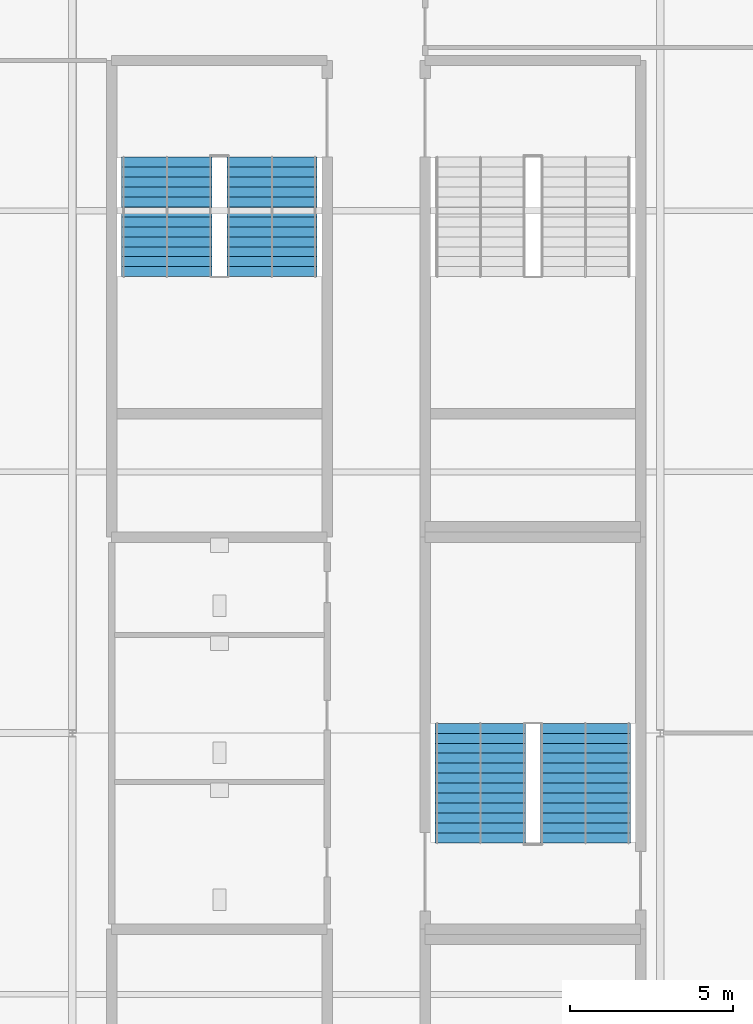
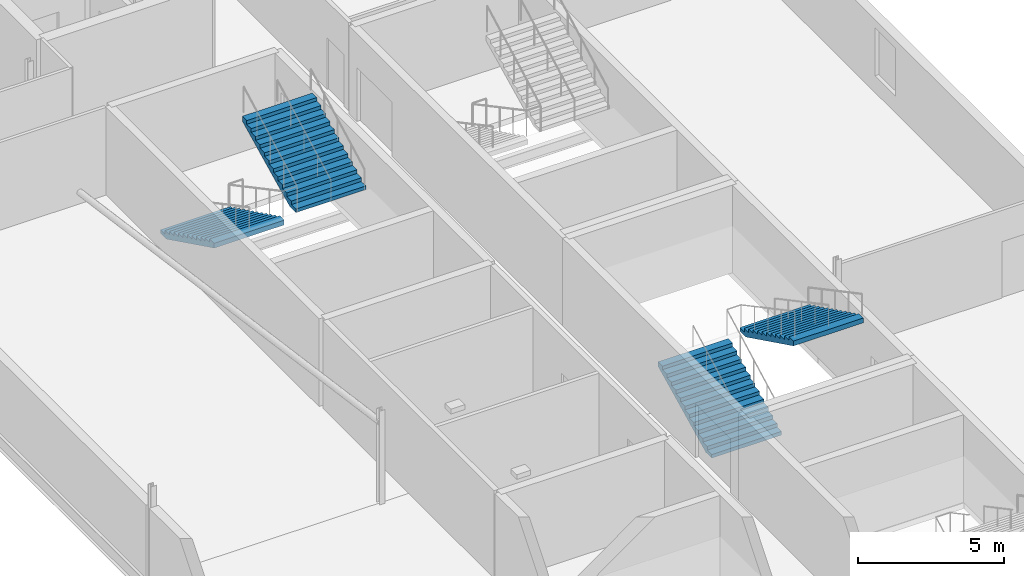
# One storey, part 27 of 35: 4 stair flights, 2 elements without a shape of their own.
"""IFC4 building model written with IfcOpenShell, lengths in metres."""

from ifc_helpers import new_model, si_unit, direction, frame, origin, place, context, subcontext, project, spatial, polygons, material, type_object, element, aggregate, save


model = new_model("IFC4")

# Units and contexts
model_context = context("Model", 3, precision=1e-05, world=origin(), true_north=direction((0.0, 1.0)))
body_context = subcontext(model_context, "Body", "Model", "MODEL_VIEW")
ifc_project = project(units=[si_unit("LENGTHUNIT", "METRE"), si_unit("AREAUNIT", "SQUARE_METRE"), si_unit("VOLUMEUNIT", "CUBIC_METRE"), si_unit("PLANEANGLEUNIT", "RADIAN"), si_unit("MASSUNIT", "GRAM", prefix="KILO")], contexts=[model_context])

# Site, building, storey
site_placement = place(None, origin())
site = spatial("IfcSite", under=ifc_project, at=site_placement, CompositionType="ELEMENT")
building_placement = place(site_placement, origin())
building = spatial("IfcBuilding", under=site, at=building_placement, Name="Kisiwana Market Hall", CompositionType="ELEMENT")
storey_placement = place(building_placement, frame((0.0, 0.0, 61.800048828125)))
storey = spatial("IfcBuildingStorey", under=building, at=storey_placement, Name="L14", CompositionType="ELEMENT", Elevation=61.800048828125)

# Stair, stair flights
ifc_material_1 = material(Name="Concrete C32/40", Category="concrete")
stair_type = type_object("IfcStairType", Name="ST-ESC-3900", PredefinedType="TWO_STRAIGHT_RUN_STAIR", material=ifc_material_1)
stair_1_placement = place(storey_placement, origin())
stair_1 = element("IfcStair", 1, at=stair_1_placement, inside=storey, type_object=stair_type, Name="Escape stair ST-W4-L14", PredefinedType="TWO_STRAIGHT_RUN_STAIR")
ifc_material_2 = material(Name="Concrete C32/40", Category="concrete")
stair_flight_type = type_object("IfcStairFlightType", Name="SF-ESC-3900", PredefinedType="STRAIGHT", material=ifc_material_2)
stair_flight_1_placement = place(storey_placement, frame((11.889892578125, 77.639892578125, 0.0), z_axis=(0.0, 0.0, 1.0), x_axis=(0.0, -1.0, 0.0)))
stair_flight_1 = element("IfcStairFlight", 2, at=stair_flight_1_placement, type_object=stair_flight_type, Name="ST-W4-L14 flight 1", NumberOfRisers=13, NumberOfTreads=12, PredefinedType="STRAIGHT", RiserHeight=0.15, TreadLength=0.305, context=body_context, shape_type="Tessellation", body=[
    polygons([(0.0, -1.380127, 0.0), (0.0, -0.690125, 0.0), (0.0, -0.000122, 0.0), (0.0, 0.68988, 0.0), (0.0, 1.379883, 0.0), (0.0, -1.380127, 0.149902), (0.0, -0.690125, 0.149902), (0.0, -0.000122, 0.149902), (0.0, 0.68988, 0.149902), (0.0, 1.379883, 0.149902), (0.304932, -1.380127, 0.149902), (0.304932, -0.690125, 0.149902), (0.304932, -0.000122, 0.149902), (0.304932, 0.68988, 0.149902), (0.304932, 1.379883, 0.149902), (0.304932, -1.380127, 0.300049), (0.304932, -0.690125, 0.300049), (0.304932, -0.000122, 0.300049), (0.304932, 0.68988, 0.300049), (0.304932, 1.379883, 0.300049), (0.610107, -1.380127, 0.300049), (0.610107, -0.690125, 0.300049), (0.610107, -0.000122, 0.300049), (0.610107, 0.68988, 0.300049), (0.610107, 1.379883, 0.300049), (0.610107, -1.380127, 0.449951), (0.610107, -0.690125, 0.449951), (0.610107, -0.000122, 0.449951), (0.610107, 0.68988, 0.449951), (0.610107, 1.379883, 0.449951), (0.915039, -1.380127, 0.449951), (0.915039, -0.690125, 0.449951), (0.915039, -0.000122, 0.449951), (0.915039, 0.68988, 0.449951), (0.915039, 1.379883, 0.449951), (0.915039, -1.380127, 0.600098), (0.915039, -0.690125, 0.600098), (0.915039, -0.000122, 0.600098), (0.915039, 0.68988, 0.600098), (0.915039, 1.379883, 0.600098), (1.219971, -1.380127, 0.600098), (1.219971, -0.690125, 0.600098), (1.219971, -0.000122, 0.600098), (1.219971, 0.68988, 0.600098), (1.219971, 1.379883, 0.600098), (1.219971, -1.380127, 0.75), (1.219971, -0.690125, 0.75), (1.219971, -0.000122, 0.75), (1.219971, 0.68988, 0.75), (1.219971, 1.379883, 0.75), (1.524902, -1.380127, 0.75), (1.524902, -0.690125, 0.75), (1.524902, -0.000122, 0.75), (1.524902, 0.68988, 0.75), (1.524902, 1.379883, 0.75), (1.524902, -1.380127, 0.899902), (1.524902, -0.690125, 0.899902), (1.524902, -0.000122, 0.899902), (1.524902, 0.68988, 0.899902), (1.524902, 1.379883, 0.899902), (1.830078, -1.380127, 0.899902), (1.830078, -0.690125, 0.899902), (1.830078, -0.000122, 0.899902), (1.830078, 0.68988, 0.899902), (1.830078, 1.379883, 0.899902), (1.830078, -1.380127, 1.050049), (1.830078, -0.690125, 1.050049), (1.830078, -0.000122, 1.050049), (1.830078, 0.68988, 1.050049), (1.830078, 1.379883, 1.050049), (2.13501, -1.380127, 1.050049), (2.13501, -0.690125, 1.050049), (2.13501, -0.000122, 1.050049), (2.13501, 0.68988, 1.050049), (2.13501, 1.379883, 1.050049), (2.13501, -1.380127, 1.199951), (2.13501, -0.690125, 1.199951), (2.13501, -0.000122, 1.199951), (2.13501, 0.68988, 1.199951), (2.13501, 1.379883, 1.199951), (2.439941, -1.380127, 1.199951), (2.439941, -0.690125, 1.199951), (2.439941, -0.000122, 1.199951), (2.439941, 0.68988, 1.199951), (2.439941, 1.379883, 1.199951), (2.439941, -1.380127, 1.350098), (2.439941, -0.690125, 1.350098), (2.439941, -0.000122, 1.350098), (2.439941, 0.68988, 1.350098), (2.439941, 1.379883, 1.350098), (2.745117, -1.380127, 1.350098), (2.745117, -0.690125, 1.350098), (2.745117, -0.000122, 1.350098), (2.745117, 0.68988, 1.350098), (2.745117, 1.379883, 1.350098), (2.745117, -1.380127, 1.5), (2.745117, -0.690125, 1.5), (2.745117, -0.000122, 1.5), (2.745117, 0.68988, 1.5), (2.745117, 1.379883, 1.5), (3.050049, -1.380127, 1.5), (3.050049, -0.690125, 1.5), (3.050049, -0.000122, 1.5), (3.050049, 0.68988, 1.5), (3.050049, 1.379883, 1.5), (3.050049, -1.380127, 1.649902), (3.050049, -0.690125, 1.649902), (3.050049, -0.000122, 1.649902), (3.050049, 0.68988, 1.649902), (3.050049, 1.379883, 1.649902), (3.35498, -1.380127, 1.649902), (3.35498, -0.690125, 1.649902), (3.35498, -0.000122, 1.649902), (3.35498, 0.68988, 1.649902), (3.35498, 1.379883, 1.649902), (3.35498, -1.380127, 1.800049), (3.35498, -0.690125, 1.800049), (3.35498, -0.000122, 1.800049), (3.35498, 0.68988, 1.800049), (3.35498, 1.379883, 1.800049), (3.659912, -1.380127, 1.800049), (3.659912, -0.690125, 1.800049), (3.659912, -0.000122, 1.800049), (3.659912, 0.68988, 1.800049), (3.659912, 1.379883, 1.800049), (3.659912, -1.380127, 1.599365), (3.659912, -0.690125, 1.599365), (3.659912, -0.000122, 1.599365), (3.659912, 0.68988, 1.599365), (3.659912, 1.379883, 1.599365), (0.407715, -1.380127, 0.0), (0.407715, -0.690125, 0.0), (0.407715, -0.000122, 0.0), (0.407715, 0.68988, 0.0), (0.407715, 1.379883, 0.0)], [[[1, 6, 7, 2]], [[2, 7, 8, 3]], [[3, 8, 9, 4]], [[4, 9, 10, 5]], [[6, 11, 12, 7]], [[7, 12, 13, 8]], [[8, 13, 14, 9]], [[9, 14, 15, 10]], [[11, 16, 17, 12]], [[12, 17, 18, 13]], [[13, 18, 19, 14]], [[14, 19, 20, 15]], [[16, 21, 22, 17]], [[17, 22, 23, 18]], [[18, 23, 24, 19]], [[19, 24, 25, 20]], [[21, 26, 27, 22]], [[22, 27, 28, 23]], [[23, 28, 29, 24]], [[24, 29, 30, 25]], [[26, 31, 32, 27]], [[27, 32, 33, 28]], [[28, 33, 34, 29]], [[29, 34, 35, 30]], [[31, 36, 37, 32]], [[32, 37, 38, 33]], [[33, 38, 39, 34]], [[34, 39, 40, 35]], [[36, 41, 42, 37]], [[37, 42, 43, 38]], [[38, 43, 44, 39]], [[39, 44, 45, 40]], [[41, 46, 47, 42]], [[42, 47, 48, 43]], [[43, 48, 49, 44]], [[44, 49, 50, 45]], [[46, 51, 52, 47]], [[47, 52, 53, 48]], [[48, 53, 54, 49]], [[49, 54, 55, 50]], [[51, 56, 57, 52]], [[52, 57, 58, 53]], [[53, 58, 59, 54]], [[54, 59, 60, 55]], [[56, 61, 62, 57]], [[57, 62, 63, 58]], [[58, 63, 64, 59]], [[59, 64, 65, 60]], [[61, 66, 67, 62]], [[62, 67, 68, 63]], [[63, 68, 69, 64]], [[64, 69, 70, 65]], [[66, 71, 72, 67]], [[67, 72, 73, 68]], [[68, 73, 74, 69]], [[69, 74, 75, 70]], [[71, 76, 77, 72]], [[72, 77, 78, 73]], [[73, 78, 79, 74]], [[74, 79, 80, 75]], [[76, 81, 82, 77]], [[77, 82, 83, 78]], [[78, 83, 84, 79]], [[79, 84, 85, 80]], [[81, 86, 87, 82]], [[82, 87, 88, 83]], [[83, 88, 89, 84]], [[84, 89, 90, 85]], [[86, 91, 92, 87]], [[87, 92, 93, 88]], [[88, 93, 94, 89]], [[89, 94, 95, 90]], [[91, 96, 97, 92]], [[92, 97, 98, 93]], [[93, 98, 99, 94]], [[94, 99, 100, 95]], [[96, 101, 102, 97]], [[97, 102, 103, 98]], [[98, 103, 104, 99]], [[99, 104, 105, 100]], [[101, 106, 107, 102]], [[102, 107, 108, 103]], [[103, 108, 109, 104]], [[104, 109, 110, 105]], [[106, 111, 112, 107]], [[107, 112, 113, 108]], [[108, 113, 114, 109]], [[109, 114, 115, 110]], [[111, 116, 117, 112]], [[112, 117, 118, 113]], [[113, 118, 119, 114]], [[114, 119, 120, 115]], [[116, 121, 122, 117]], [[117, 122, 123, 118]], [[118, 123, 124, 119]], [[119, 124, 125, 120]], [[121, 126, 127, 122]], [[122, 127, 128, 123]], [[123, 128, 129, 124]], [[124, 129, 130, 125]], [[126, 131, 132, 127]], [[127, 132, 133, 128]], [[128, 133, 134, 129]], [[129, 134, 135, 130]], [[131, 1, 2, 132]], [[132, 2, 3, 133]], [[133, 3, 4, 134]], [[134, 4, 5, 135]], [[131, 126, 121, 116, 111, 106, 101, 96, 91, 86, 81, 76, 71, 66, 61, 56, 51, 46, 41, 36, 31, 26, 21, 16, 11, 6, 1]], [[5, 10, 15, 20, 25, 30, 35, 40, 45, 50, 55, 60, 65, 70, 75, 80, 85, 90, 95, 100, 105, 110, 115, 120, 125, 130, 135]]], closed=True),
])
stair_flight_2_placement = place(storey_placement, frame((15.110107421875, 73.97998046875, 1.949951171875), z_axis=(0.0, 0.0, 1.0), x_axis=(0.0, 1.0, 0.0)))
stair_flight_2 = element("IfcStairFlight", 3, at=stair_flight_2_placement, type_object=stair_flight_type, Name="ST-W4-L14 flight 2", NumberOfRisers=13, NumberOfTreads=12, PredefinedType="STRAIGHT", RiserHeight=0.15, TreadLength=0.305, context=body_context, shape_type="Tessellation", body=[
    polygons([(0.0, -1.380127, 0.0), (0.0, -0.690125, 0.0), (0.0, -0.000122, 0.0), (0.0, 0.68988, 0.0), (0.0, 1.379883, 0.0), (0.0, -1.380127, 0.149902), (0.0, -0.690125, 0.149902), (0.0, -0.000122, 0.149902), (0.0, 0.68988, 0.149902), (0.0, 1.379883, 0.149902), (0.304932, -1.380127, 0.149902), (0.304932, -0.690125, 0.149902), (0.304932, -0.000122, 0.149902), (0.304932, 0.68988, 0.149902), (0.304932, 1.379883, 0.149902), (0.304932, -1.380127, 0.300049), (0.304932, -0.690125, 0.300049), (0.304932, -0.000122, 0.300049), (0.304932, 0.68988, 0.300049), (0.304932, 1.379883, 0.300049), (0.610107, -1.380127, 0.300049), (0.610107, -0.690125, 0.300049), (0.610107, -0.000122, 0.300049), (0.610107, 0.68988, 0.300049), (0.610107, 1.379883, 0.300049), (0.610107, -1.380127, 0.449951), (0.610107, -0.690125, 0.449951), (0.610107, -0.000122, 0.449951), (0.610107, 0.68988, 0.449951), (0.610107, 1.379883, 0.449951), (0.915039, -1.380127, 0.449951), (0.915039, -0.690125, 0.449951), (0.915039, -0.000122, 0.449951), (0.915039, 0.68988, 0.449951), (0.915039, 1.379883, 0.449951), (0.915039, -1.380127, 0.600098), (0.915039, -0.690125, 0.600098), (0.915039, -0.000122, 0.600098), (0.915039, 0.68988, 0.600098), (0.915039, 1.379883, 0.600098), (1.219971, -1.380127, 0.600098), (1.219971, -0.690125, 0.600098), (1.219971, -0.000122, 0.600098), (1.219971, 0.68988, 0.600098), (1.219971, 1.379883, 0.600098), (1.219971, -1.380127, 0.75), (1.219971, -0.690125, 0.75), (1.219971, -0.000122, 0.75), (1.219971, 0.68988, 0.75), (1.219971, 1.379883, 0.75), (1.524902, -1.380127, 0.75), (1.524902, -0.690125, 0.75), (1.524902, -0.000122, 0.75), (1.524902, 0.68988, 0.75), (1.524902, 1.379883, 0.75), (1.524902, -1.380127, 0.899902), (1.524902, -0.690125, 0.899902), (1.524902, -0.000122, 0.899902), (1.524902, 0.68988, 0.899902), (1.524902, 1.379883, 0.899902), (1.830078, -1.380127, 0.899902), (1.830078, -0.690125, 0.899902), (1.830078, -0.000122, 0.899902), (1.830078, 0.68988, 0.899902), (1.830078, 1.379883, 0.899902), (1.830078, -1.380127, 1.050049), (1.830078, -0.690125, 1.050049), (1.830078, -0.000122, 1.050049), (1.830078, 0.68988, 1.050049), (1.830078, 1.379883, 1.050049), (2.13501, -1.380127, 1.050049), (2.13501, -0.690125, 1.050049), (2.13501, -0.000122, 1.050049), (2.13501, 0.68988, 1.050049), (2.13501, 1.379883, 1.050049), (2.13501, -1.380127, 1.199951), (2.13501, -0.690125, 1.199951), (2.13501, -0.000122, 1.199951), (2.13501, 0.68988, 1.199951), (2.13501, 1.379883, 1.199951), (2.439941, -1.380127, 1.199951), (2.439941, -0.690125, 1.199951), (2.439941, -0.000122, 1.199951), (2.439941, 0.68988, 1.199951), (2.439941, 1.379883, 1.199951), (2.439941, -1.380127, 1.350098), (2.439941, -0.690125, 1.350098), (2.439941, -0.000122, 1.350098), (2.439941, 0.68988, 1.350098), (2.439941, 1.379883, 1.350098), (2.745117, -1.380127, 1.350098), (2.745117, -0.690125, 1.350098), (2.745117, -0.000122, 1.350098), (2.745117, 0.68988, 1.350098), (2.745117, 1.379883, 1.350098), (2.745117, -1.380127, 1.5), (2.745117, -0.690125, 1.5), (2.745117, -0.000122, 1.5), (2.745117, 0.68988, 1.5), (2.745117, 1.379883, 1.5), (3.050049, -1.380127, 1.5), (3.050049, -0.690125, 1.5), (3.050049, -0.000122, 1.5), (3.050049, 0.68988, 1.5), (3.050049, 1.379883, 1.5), (3.050049, -1.380127, 1.649902), (3.050049, -0.690125, 1.649902), (3.050049, -0.000122, 1.649902), (3.050049, 0.68988, 1.649902), (3.050049, 1.379883, 1.649902), (3.35498, -1.380127, 1.649902), (3.35498, -0.690125, 1.649902), (3.35498, -0.000122, 1.649902), (3.35498, 0.68988, 1.649902), (3.35498, 1.379883, 1.649902), (3.35498, -1.380127, 1.800049), (3.35498, -0.690125, 1.800049), (3.35498, -0.000122, 1.800049), (3.35498, 0.68988, 1.800049), (3.35498, 1.379883, 1.800049), (3.659912, -1.380127, 1.800049), (3.659912, -0.690125, 1.800049), (3.659912, -0.000122, 1.800049), (3.659912, 0.68988, 1.800049), (3.659912, 1.379883, 1.800049), (3.659912, -1.380127, 1.599365), (3.659912, -0.690125, 1.599365), (3.659912, -0.000122, 1.599365), (3.659912, 0.68988, 1.599365), (3.659912, 1.379883, 1.599365), (0.407715, -1.380127, 0.0), (0.407715, -0.690125, 0.0), (0.407715, -0.000122, 0.0), (0.407715, 0.68988, 0.0), (0.407715, 1.379883, 0.0)], [[[1, 6, 7, 2]], [[2, 7, 8, 3]], [[3, 8, 9, 4]], [[4, 9, 10, 5]], [[6, 11, 12, 7]], [[7, 12, 13, 8]], [[8, 13, 14, 9]], [[9, 14, 15, 10]], [[11, 16, 17, 12]], [[12, 17, 18, 13]], [[13, 18, 19, 14]], [[14, 19, 20, 15]], [[16, 21, 22, 17]], [[17, 22, 23, 18]], [[18, 23, 24, 19]], [[19, 24, 25, 20]], [[21, 26, 27, 22]], [[22, 27, 28, 23]], [[23, 28, 29, 24]], [[24, 29, 30, 25]], [[26, 31, 32, 27]], [[27, 32, 33, 28]], [[28, 33, 34, 29]], [[29, 34, 35, 30]], [[31, 36, 37, 32]], [[32, 37, 38, 33]], [[33, 38, 39, 34]], [[34, 39, 40, 35]], [[36, 41, 42, 37]], [[37, 42, 43, 38]], [[38, 43, 44, 39]], [[39, 44, 45, 40]], [[41, 46, 47, 42]], [[42, 47, 48, 43]], [[43, 48, 49, 44]], [[44, 49, 50, 45]], [[46, 51, 52, 47]], [[47, 52, 53, 48]], [[48, 53, 54, 49]], [[49, 54, 55, 50]], [[51, 56, 57, 52]], [[52, 57, 58, 53]], [[53, 58, 59, 54]], [[54, 59, 60, 55]], [[56, 61, 62, 57]], [[57, 62, 63, 58]], [[58, 63, 64, 59]], [[59, 64, 65, 60]], [[61, 66, 67, 62]], [[62, 67, 68, 63]], [[63, 68, 69, 64]], [[64, 69, 70, 65]], [[66, 71, 72, 67]], [[67, 72, 73, 68]], [[68, 73, 74, 69]], [[69, 74, 75, 70]], [[71, 76, 77, 72]], [[72, 77, 78, 73]], [[73, 78, 79, 74]], [[74, 79, 80, 75]], [[76, 81, 82, 77]], [[77, 82, 83, 78]], [[78, 83, 84, 79]], [[79, 84, 85, 80]], [[81, 86, 87, 82]], [[82, 87, 88, 83]], [[83, 88, 89, 84]], [[84, 89, 90, 85]], [[86, 91, 92, 87]], [[87, 92, 93, 88]], [[88, 93, 94, 89]], [[89, 94, 95, 90]], [[91, 96, 97, 92]], [[92, 97, 98, 93]], [[93, 98, 99, 94]], [[94, 99, 100, 95]], [[96, 101, 102, 97]], [[97, 102, 103, 98]], [[98, 103, 104, 99]], [[99, 104, 105, 100]], [[101, 106, 107, 102]], [[102, 107, 108, 103]], [[103, 108, 109, 104]], [[104, 109, 110, 105]], [[106, 111, 112, 107]], [[107, 112, 113, 108]], [[108, 113, 114, 109]], [[109, 114, 115, 110]], [[111, 116, 117, 112]], [[112, 117, 118, 113]], [[113, 118, 119, 114]], [[114, 119, 120, 115]], [[116, 121, 122, 117]], [[117, 122, 123, 118]], [[118, 123, 124, 119]], [[119, 124, 125, 120]], [[121, 126, 127, 122]], [[122, 127, 128, 123]], [[123, 128, 129, 124]], [[124, 129, 130, 125]], [[126, 131, 132, 127]], [[127, 132, 133, 128]], [[128, 133, 134, 129]], [[129, 134, 135, 130]], [[131, 1, 2, 132]], [[132, 2, 3, 133]], [[133, 3, 4, 134]], [[134, 4, 5, 135]], [[131, 126, 121, 116, 111, 106, 101, 96, 91, 86, 81, 76, 71, 66, 61, 56, 51, 46, 41, 36, 31, 26, 21, 16, 11, 6, 1]], [[5, 10, 15, 20, 25, 30, 35, 40, 45, 50, 55, 60, 65, 70, 75, 80, 85, 90, 95, 100, 105, 110, 115, 120, 125, 130, 135]]], closed=True),
])
aggregate(stair_1, [stair_flight_1, stair_flight_2])

stair_2_placement = place(storey_placement, origin())
stair_2 = element("IfcStair", 4, at=stair_2_placement, inside=storey, type_object=stair_type, Name="Escape stair ST-W5-L14", PredefinedType="TWO_STRAIGHT_RUN_STAIR")
stair_flight_3_placement = place(storey_placement, frame((21.489990234375, 56.639892578125, 0.0), z_axis=(0.0, 0.0, 1.0), x_axis=(0.0, 1.0, 0.0)))
stair_flight_3 = element("IfcStairFlight", 5, at=stair_flight_3_placement, type_object=stair_flight_type, Name="ST-W5-L14 flight 1", NumberOfRisers=13, NumberOfTreads=12, PredefinedType="STRAIGHT", RiserHeight=0.15, TreadLength=0.305, context=body_context, shape_type="Tessellation", body=[
    polygons([(0.0, -1.380127, 0.0), (0.0, -0.690125, 0.0), (0.0, -0.000122, 0.0), (0.0, 0.68988, 0.0), (0.0, 1.379883, 0.0), (0.0, -1.380127, 0.149902), (0.0, -0.690125, 0.149902), (0.0, -0.000122, 0.149902), (0.0, 0.68988, 0.149902), (0.0, 1.379883, 0.149902), (0.304932, -1.380127, 0.149902), (0.304932, -0.690125, 0.149902), (0.304932, -0.000122, 0.149902), (0.304932, 0.68988, 0.149902), (0.304932, 1.379883, 0.149902), (0.304932, -1.380127, 0.300049), (0.304932, -0.690125, 0.300049), (0.304932, -0.000122, 0.300049), (0.304932, 0.68988, 0.300049), (0.304932, 1.379883, 0.300049), (0.610107, -1.380127, 0.300049), (0.610107, -0.690125, 0.300049), (0.610107, -0.000122, 0.300049), (0.610107, 0.68988, 0.300049), (0.610107, 1.379883, 0.300049), (0.610107, -1.380127, 0.449951), (0.610107, -0.690125, 0.449951), (0.610107, -0.000122, 0.449951), (0.610107, 0.68988, 0.449951), (0.610107, 1.379883, 0.449951), (0.915039, -1.380127, 0.449951), (0.915039, -0.690125, 0.449951), (0.915039, -0.000122, 0.449951), (0.915039, 0.68988, 0.449951), (0.915039, 1.379883, 0.449951), (0.915039, -1.380127, 0.600098), (0.915039, -0.690125, 0.600098), (0.915039, -0.000122, 0.600098), (0.915039, 0.68988, 0.600098), (0.915039, 1.379883, 0.600098), (1.219971, -1.380127, 0.600098), (1.219971, -0.690125, 0.600098), (1.219971, -0.000122, 0.600098), (1.219971, 0.68988, 0.600098), (1.219971, 1.379883, 0.600098), (1.219971, -1.380127, 0.75), (1.219971, -0.690125, 0.75), (1.219971, -0.000122, 0.75), (1.219971, 0.68988, 0.75), (1.219971, 1.379883, 0.75), (1.524902, -1.380127, 0.75), (1.524902, -0.690125, 0.75), (1.524902, -0.000122, 0.75), (1.524902, 0.68988, 0.75), (1.524902, 1.379883, 0.75), (1.524902, -1.380127, 0.899902), (1.524902, -0.690125, 0.899902), (1.524902, -0.000122, 0.899902), (1.524902, 0.68988, 0.899902), (1.524902, 1.379883, 0.899902), (1.830078, -1.380127, 0.899902), (1.830078, -0.690125, 0.899902), (1.830078, -0.000122, 0.899902), (1.830078, 0.68988, 0.899902), (1.830078, 1.379883, 0.899902), (1.830078, -1.380127, 1.050049), (1.830078, -0.690125, 1.050049), (1.830078, -0.000122, 1.050049), (1.830078, 0.68988, 1.050049), (1.830078, 1.379883, 1.050049), (2.13501, -1.380127, 1.050049), (2.13501, -0.690125, 1.050049), (2.13501, -0.000122, 1.050049), (2.13501, 0.68988, 1.050049), (2.13501, 1.379883, 1.050049), (2.13501, -1.380127, 1.199951), (2.13501, -0.690125, 1.199951), (2.13501, -0.000122, 1.199951), (2.13501, 0.68988, 1.199951), (2.13501, 1.379883, 1.199951), (2.439941, -1.380127, 1.199951), (2.439941, -0.690125, 1.199951), (2.439941, -0.000122, 1.199951), (2.439941, 0.68988, 1.199951), (2.439941, 1.379883, 1.199951), (2.439941, -1.380127, 1.350098), (2.439941, -0.690125, 1.350098), (2.439941, -0.000122, 1.350098), (2.439941, 0.68988, 1.350098), (2.439941, 1.379883, 1.350098), (2.745117, -1.380127, 1.350098), (2.745117, -0.690125, 1.350098), (2.745117, -0.000122, 1.350098), (2.745117, 0.68988, 1.350098), (2.745117, 1.379883, 1.350098), (2.745117, -1.380127, 1.5), (2.745117, -0.690125, 1.5), (2.745117, -0.000122, 1.5), (2.745117, 0.68988, 1.5), (2.745117, 1.379883, 1.5), (3.050049, -1.380127, 1.5), (3.050049, -0.690125, 1.5), (3.050049, -0.000122, 1.5), (3.050049, 0.68988, 1.5), (3.050049, 1.379883, 1.5), (3.050049, -1.380127, 1.649902), (3.050049, -0.690125, 1.649902), (3.050049, -0.000122, 1.649902), (3.050049, 0.68988, 1.649902), (3.050049, 1.379883, 1.649902), (3.35498, -1.380127, 1.649902), (3.35498, -0.690125, 1.649902), (3.35498, -0.000122, 1.649902), (3.35498, 0.68988, 1.649902), (3.35498, 1.379883, 1.649902), (3.35498, -1.380127, 1.800049), (3.35498, -0.690125, 1.800049), (3.35498, -0.000122, 1.800049), (3.35498, 0.68988, 1.800049), (3.35498, 1.379883, 1.800049), (3.659912, -1.380127, 1.800049), (3.659912, -0.690125, 1.800049), (3.659912, -0.000122, 1.800049), (3.659912, 0.68988, 1.800049), (3.659912, 1.379883, 1.800049), (3.659912, -1.380127, 1.599365), (3.659912, -0.690125, 1.599365), (3.659912, -0.000122, 1.599365), (3.659912, 0.68988, 1.599365), (3.659912, 1.379883, 1.599365), (0.407715, -1.380127, 0.0), (0.407715, -0.690125, 0.0), (0.407715, -0.000122, 0.0), (0.407715, 0.68988, 0.0), (0.407715, 1.379883, 0.0)], [[[1, 6, 7, 2]], [[2, 7, 8, 3]], [[3, 8, 9, 4]], [[4, 9, 10, 5]], [[6, 11, 12, 7]], [[7, 12, 13, 8]], [[8, 13, 14, 9]], [[9, 14, 15, 10]], [[11, 16, 17, 12]], [[12, 17, 18, 13]], [[13, 18, 19, 14]], [[14, 19, 20, 15]], [[16, 21, 22, 17]], [[17, 22, 23, 18]], [[18, 23, 24, 19]], [[19, 24, 25, 20]], [[21, 26, 27, 22]], [[22, 27, 28, 23]], [[23, 28, 29, 24]], [[24, 29, 30, 25]], [[26, 31, 32, 27]], [[27, 32, 33, 28]], [[28, 33, 34, 29]], [[29, 34, 35, 30]], [[31, 36, 37, 32]], [[32, 37, 38, 33]], [[33, 38, 39, 34]], [[34, 39, 40, 35]], [[36, 41, 42, 37]], [[37, 42, 43, 38]], [[38, 43, 44, 39]], [[39, 44, 45, 40]], [[41, 46, 47, 42]], [[42, 47, 48, 43]], [[43, 48, 49, 44]], [[44, 49, 50, 45]], [[46, 51, 52, 47]], [[47, 52, 53, 48]], [[48, 53, 54, 49]], [[49, 54, 55, 50]], [[51, 56, 57, 52]], [[52, 57, 58, 53]], [[53, 58, 59, 54]], [[54, 59, 60, 55]], [[56, 61, 62, 57]], [[57, 62, 63, 58]], [[58, 63, 64, 59]], [[59, 64, 65, 60]], [[61, 66, 67, 62]], [[62, 67, 68, 63]], [[63, 68, 69, 64]], [[64, 69, 70, 65]], [[66, 71, 72, 67]], [[67, 72, 73, 68]], [[68, 73, 74, 69]], [[69, 74, 75, 70]], [[71, 76, 77, 72]], [[72, 77, 78, 73]], [[73, 78, 79, 74]], [[74, 79, 80, 75]], [[76, 81, 82, 77]], [[77, 82, 83, 78]], [[78, 83, 84, 79]], [[79, 84, 85, 80]], [[81, 86, 87, 82]], [[82, 87, 88, 83]], [[83, 88, 89, 84]], [[84, 89, 90, 85]], [[86, 91, 92, 87]], [[87, 92, 93, 88]], [[88, 93, 94, 89]], [[89, 94, 95, 90]], [[91, 96, 97, 92]], [[92, 97, 98, 93]], [[93, 98, 99, 94]], [[94, 99, 100, 95]], [[96, 101, 102, 97]], [[97, 102, 103, 98]], [[98, 103, 104, 99]], [[99, 104, 105, 100]], [[101, 106, 107, 102]], [[102, 107, 108, 103]], [[103, 108, 109, 104]], [[104, 109, 110, 105]], [[106, 111, 112, 107]], [[107, 112, 113, 108]], [[108, 113, 114, 109]], [[109, 114, 115, 110]], [[111, 116, 117, 112]], [[112, 117, 118, 113]], [[113, 118, 119, 114]], [[114, 119, 120, 115]], [[116, 121, 122, 117]], [[117, 122, 123, 118]], [[118, 123, 124, 119]], [[119, 124, 125, 120]], [[121, 126, 127, 122]], [[122, 127, 128, 123]], [[123, 128, 129, 124]], [[124, 129, 130, 125]], [[126, 131, 132, 127]], [[127, 132, 133, 128]], [[128, 133, 134, 129]], [[129, 134, 135, 130]], [[131, 1, 2, 132]], [[132, 2, 3, 133]], [[133, 3, 4, 134]], [[134, 4, 5, 135]], [[131, 126, 121, 116, 111, 106, 101, 96, 91, 86, 81, 76, 71, 66, 61, 56, 51, 46, 41, 36, 31, 26, 21, 16, 11, 6, 1]], [[5, 10, 15, 20, 25, 30, 35, 40, 45, 50, 55, 60, 65, 70, 75, 80, 85, 90, 95, 100, 105, 110, 115, 120, 125, 130, 135]]], closed=True),
])
stair_flight_4_placement = place(storey_placement, frame((24.7099609375, 60.300048828125, 1.949951171875), z_axis=(0.0, 0.0, 1.0), x_axis=(0.0, -1.0, 0.0)))
stair_flight_4 = element("IfcStairFlight", 6, at=stair_flight_4_placement, type_object=stair_flight_type, Name="ST-W5-L14 flight 2", NumberOfRisers=13, NumberOfTreads=12, PredefinedType="STRAIGHT", RiserHeight=0.15, TreadLength=0.305, context=body_context, shape_type="Tessellation", body=[
    polygons([(0.0, -1.380127, 0.0), (0.0, -0.690125, 0.0), (0.0, -0.000122, 0.0), (0.0, 0.68988, 0.0), (0.0, 1.379883, 0.0), (0.0, -1.380127, 0.149902), (0.0, -0.690125, 0.149902), (0.0, -0.000122, 0.149902), (0.0, 0.68988, 0.149902), (0.0, 1.379883, 0.149902), (0.304932, -1.380127, 0.149902), (0.304932, -0.690125, 0.149902), (0.304932, -0.000122, 0.149902), (0.304932, 0.68988, 0.149902), (0.304932, 1.379883, 0.149902), (0.304932, -1.380127, 0.300049), (0.304932, -0.690125, 0.300049), (0.304932, -0.000122, 0.300049), (0.304932, 0.68988, 0.300049), (0.304932, 1.379883, 0.300049), (0.610107, -1.380127, 0.300049), (0.610107, -0.690125, 0.300049), (0.610107, -0.000122, 0.300049), (0.610107, 0.68988, 0.300049), (0.610107, 1.379883, 0.300049), (0.610107, -1.380127, 0.449951), (0.610107, -0.690125, 0.449951), (0.610107, -0.000122, 0.449951), (0.610107, 0.68988, 0.449951), (0.610107, 1.379883, 0.449951), (0.915039, -1.380127, 0.449951), (0.915039, -0.690125, 0.449951), (0.915039, -0.000122, 0.449951), (0.915039, 0.68988, 0.449951), (0.915039, 1.379883, 0.449951), (0.915039, -1.380127, 0.600098), (0.915039, -0.690125, 0.600098), (0.915039, -0.000122, 0.600098), (0.915039, 0.68988, 0.600098), (0.915039, 1.379883, 0.600098), (1.219971, -1.380127, 0.600098), (1.219971, -0.690125, 0.600098), (1.219971, -0.000122, 0.600098), (1.219971, 0.68988, 0.600098), (1.219971, 1.379883, 0.600098), (1.219971, -1.380127, 0.75), (1.219971, -0.690125, 0.75), (1.219971, -0.000122, 0.75), (1.219971, 0.68988, 0.75), (1.219971, 1.379883, 0.75), (1.524902, -1.380127, 0.75), (1.524902, -0.690125, 0.75), (1.524902, -0.000122, 0.75), (1.524902, 0.68988, 0.75), (1.524902, 1.379883, 0.75), (1.524902, -1.380127, 0.899902), (1.524902, -0.690125, 0.899902), (1.524902, -0.000122, 0.899902), (1.524902, 0.68988, 0.899902), (1.524902, 1.379883, 0.899902), (1.830078, -1.380127, 0.899902), (1.830078, -0.690125, 0.899902), (1.830078, -0.000122, 0.899902), (1.830078, 0.68988, 0.899902), (1.830078, 1.379883, 0.899902), (1.830078, -1.380127, 1.050049), (1.830078, -0.690125, 1.050049), (1.830078, -0.000122, 1.050049), (1.830078, 0.68988, 1.050049), (1.830078, 1.379883, 1.050049), (2.13501, -1.380127, 1.050049), (2.13501, -0.690125, 1.050049), (2.13501, -0.000122, 1.050049), (2.13501, 0.68988, 1.050049), (2.13501, 1.379883, 1.050049), (2.13501, -1.380127, 1.199951), (2.13501, -0.690125, 1.199951), (2.13501, -0.000122, 1.199951), (2.13501, 0.68988, 1.199951), (2.13501, 1.379883, 1.199951), (2.439941, -1.380127, 1.199951), (2.439941, -0.690125, 1.199951), (2.439941, -0.000122, 1.199951), (2.439941, 0.68988, 1.199951), (2.439941, 1.379883, 1.199951), (2.439941, -1.380127, 1.350098), (2.439941, -0.690125, 1.350098), (2.439941, -0.000122, 1.350098), (2.439941, 0.68988, 1.350098), (2.439941, 1.379883, 1.350098), (2.745117, -1.380127, 1.350098), (2.745117, -0.690125, 1.350098), (2.745117, -0.000122, 1.350098), (2.745117, 0.68988, 1.350098), (2.745117, 1.379883, 1.350098), (2.745117, -1.380127, 1.5), (2.745117, -0.690125, 1.5), (2.745117, -0.000122, 1.5), (2.745117, 0.68988, 1.5), (2.745117, 1.379883, 1.5), (3.050049, -1.380127, 1.5), (3.050049, -0.690125, 1.5), (3.050049, -0.000122, 1.5), (3.050049, 0.68988, 1.5), (3.050049, 1.379883, 1.5), (3.050049, -1.380127, 1.649902), (3.050049, -0.690125, 1.649902), (3.050049, -0.000122, 1.649902), (3.050049, 0.68988, 1.649902), (3.050049, 1.379883, 1.649902), (3.35498, -1.380127, 1.649902), (3.35498, -0.690125, 1.649902), (3.35498, -0.000122, 1.649902), (3.35498, 0.68988, 1.649902), (3.35498, 1.379883, 1.649902), (3.35498, -1.380127, 1.800049), (3.35498, -0.690125, 1.800049), (3.35498, -0.000122, 1.800049), (3.35498, 0.68988, 1.800049), (3.35498, 1.379883, 1.800049), (3.659912, -1.380127, 1.800049), (3.659912, -0.690125, 1.800049), (3.659912, -0.000122, 1.800049), (3.659912, 0.68988, 1.800049), (3.659912, 1.379883, 1.800049), (3.659912, -1.380127, 1.599365), (3.659912, -0.690125, 1.599365), (3.659912, -0.000122, 1.599365), (3.659912, 0.68988, 1.599365), (3.659912, 1.379883, 1.599365), (0.407715, -1.380127, 0.0), (0.407715, -0.690125, 0.0), (0.407715, -0.000122, 0.0), (0.407715, 0.68988, 0.0), (0.407715, 1.379883, 0.0)], [[[1, 6, 7, 2]], [[2, 7, 8, 3]], [[3, 8, 9, 4]], [[4, 9, 10, 5]], [[6, 11, 12, 7]], [[7, 12, 13, 8]], [[8, 13, 14, 9]], [[9, 14, 15, 10]], [[11, 16, 17, 12]], [[12, 17, 18, 13]], [[13, 18, 19, 14]], [[14, 19, 20, 15]], [[16, 21, 22, 17]], [[17, 22, 23, 18]], [[18, 23, 24, 19]], [[19, 24, 25, 20]], [[21, 26, 27, 22]], [[22, 27, 28, 23]], [[23, 28, 29, 24]], [[24, 29, 30, 25]], [[26, 31, 32, 27]], [[27, 32, 33, 28]], [[28, 33, 34, 29]], [[29, 34, 35, 30]], [[31, 36, 37, 32]], [[32, 37, 38, 33]], [[33, 38, 39, 34]], [[34, 39, 40, 35]], [[36, 41, 42, 37]], [[37, 42, 43, 38]], [[38, 43, 44, 39]], [[39, 44, 45, 40]], [[41, 46, 47, 42]], [[42, 47, 48, 43]], [[43, 48, 49, 44]], [[44, 49, 50, 45]], [[46, 51, 52, 47]], [[47, 52, 53, 48]], [[48, 53, 54, 49]], [[49, 54, 55, 50]], [[51, 56, 57, 52]], [[52, 57, 58, 53]], [[53, 58, 59, 54]], [[54, 59, 60, 55]], [[56, 61, 62, 57]], [[57, 62, 63, 58]], [[58, 63, 64, 59]], [[59, 64, 65, 60]], [[61, 66, 67, 62]], [[62, 67, 68, 63]], [[63, 68, 69, 64]], [[64, 69, 70, 65]], [[66, 71, 72, 67]], [[67, 72, 73, 68]], [[68, 73, 74, 69]], [[69, 74, 75, 70]], [[71, 76, 77, 72]], [[72, 77, 78, 73]], [[73, 78, 79, 74]], [[74, 79, 80, 75]], [[76, 81, 82, 77]], [[77, 82, 83, 78]], [[78, 83, 84, 79]], [[79, 84, 85, 80]], [[81, 86, 87, 82]], [[82, 87, 88, 83]], [[83, 88, 89, 84]], [[84, 89, 90, 85]], [[86, 91, 92, 87]], [[87, 92, 93, 88]], [[88, 93, 94, 89]], [[89, 94, 95, 90]], [[91, 96, 97, 92]], [[92, 97, 98, 93]], [[93, 98, 99, 94]], [[94, 99, 100, 95]], [[96, 101, 102, 97]], [[97, 102, 103, 98]], [[98, 103, 104, 99]], [[99, 104, 105, 100]], [[101, 106, 107, 102]], [[102, 107, 108, 103]], [[103, 108, 109, 104]], [[104, 109, 110, 105]], [[106, 111, 112, 107]], [[107, 112, 113, 108]], [[108, 113, 114, 109]], [[109, 114, 115, 110]], [[111, 116, 117, 112]], [[112, 117, 118, 113]], [[113, 118, 119, 114]], [[114, 119, 120, 115]], [[116, 121, 122, 117]], [[117, 122, 123, 118]], [[118, 123, 124, 119]], [[119, 124, 125, 120]], [[121, 126, 127, 122]], [[122, 127, 128, 123]], [[123, 128, 129, 124]], [[124, 129, 130, 125]], [[126, 131, 132, 127]], [[127, 132, 133, 128]], [[128, 133, 134, 129]], [[129, 134, 135, 130]], [[131, 1, 2, 132]], [[132, 2, 3, 133]], [[133, 3, 4, 134]], [[134, 4, 5, 135]], [[131, 126, 121, 116, 111, 106, 101, 96, 91, 86, 81, 76, 71, 66, 61, 56, 51, 46, 41, 36, 31, 26, 21, 16, 11, 6, 1]], [[5, 10, 15, 20, 25, 30, 35, 40, 45, 50, 55, 60, 65, 70, 75, 80, 85, 90, 95, 100, 105, 110, 115, 120, 125, 130, 135]]], closed=True),
])
aggregate(stair_2, [stair_flight_3, stair_flight_4])

save(model, "model.ifc")
